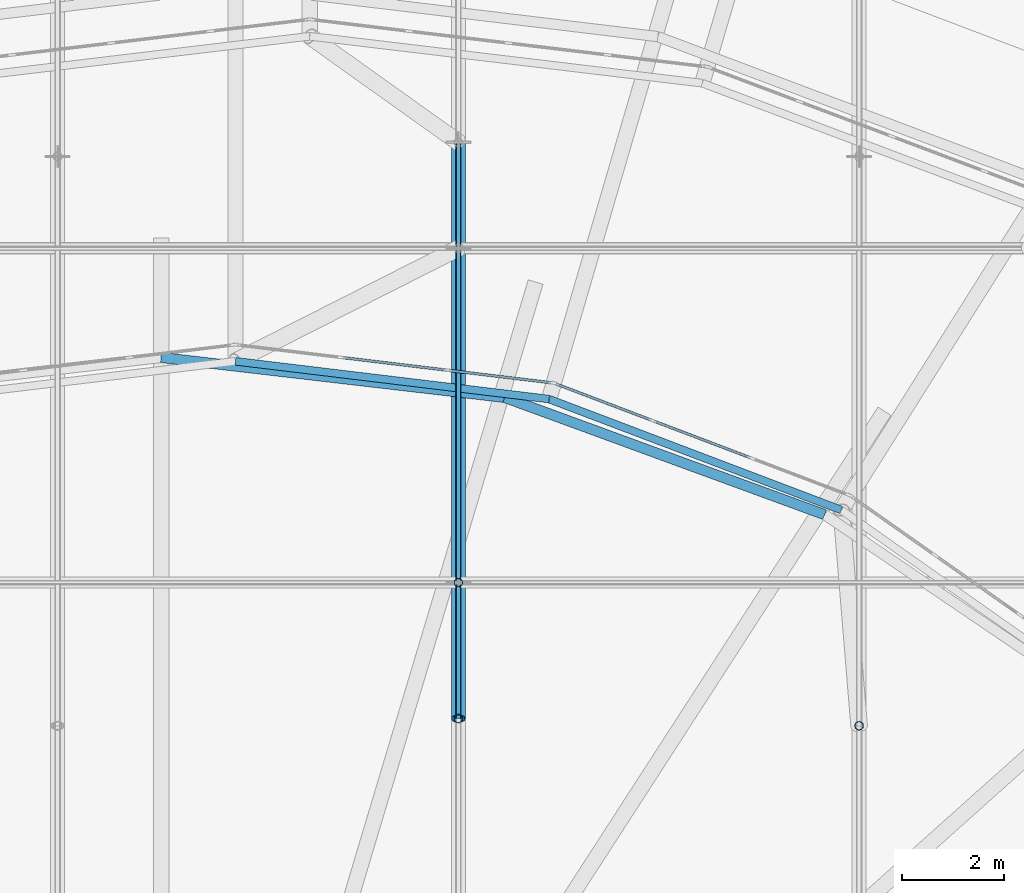
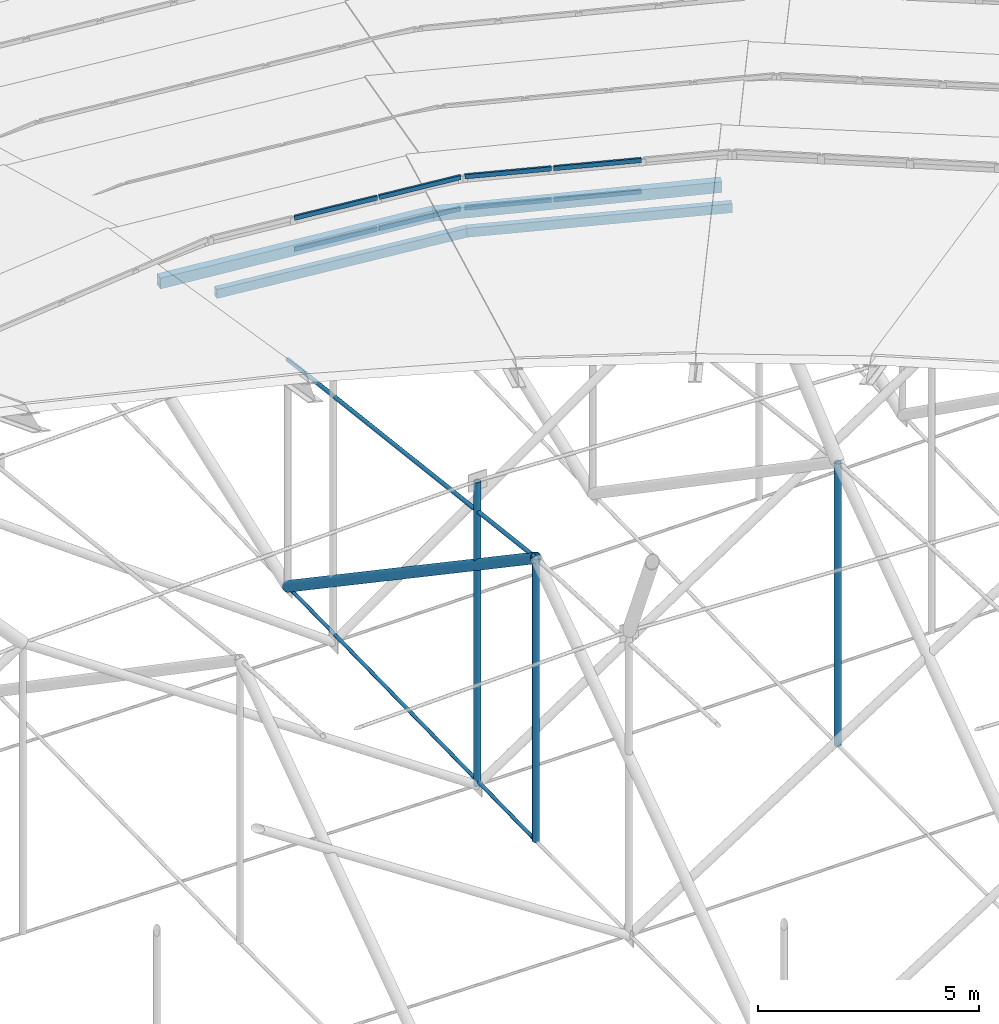
# One storey, part 72 of 173: 18 members, 2 elements without a shape of their own.
"""IFC4 building model written with IfcOpenShell, lengths in metres."""

from ifc_helpers import new_model, si_unit, direction, frame, origin, origin_2d, place, context, subcontext, project, spatial, rectangle, hollow_rectangle, circle, hollow_circle, extrude, material, material_profile, profile_set, type_object, element, aggregate, save


model = new_model("IFC4")

# Units and contexts
model_context = context("Model", 3, precision=1e-05, world=origin(), true_north=direction((0.0, 1.0)))
body_context = subcontext(model_context, "Body", "Model", "MODEL_VIEW")
ifc_project = project(units=[si_unit("LENGTHUNIT", "METRE"), si_unit("AREAUNIT", "SQUARE_METRE"), si_unit("VOLUMEUNIT", "CUBIC_METRE"), si_unit("PLANEANGLEUNIT", "RADIAN"), si_unit("MASSUNIT", "GRAM", prefix="KILO")], contexts=[model_context])

# Site, building, storey
site_placement = place(None, origin())
site = spatial("IfcSite", under=ifc_project, at=site_placement, CompositionType="ELEMENT")
building_placement = place(site_placement, origin())
building = spatial("IfcBuilding", under=site, at=building_placement, Name="Glasvene Arena", CompositionType="ELEMENT")
storey_placement = place(building_placement, frame((0.0, 0.0, 28.800048828125)))
storey = spatial("IfcBuildingStorey", under=building, at=storey_placement, Name="RF", CompositionType="ELEMENT", Elevation=28.800048828125)

# Curtain wall, members
ifc_material_1 = material(Name="Low-emissivity laminated double glazing", Category="glass")
curtain_wall_type_1 = type_object("IfcCurtainWallType", Name="CW-PET4-619x92", PredefinedType="USERDEFINED", material=ifc_material_1)
curtain_wall_1_placement = place(storey_placement, frame((99.64990234375, 88.6025390625, 0.0)))
curtain_wall_1 = element("IfcCurtainWall", 1, at=curtain_wall_1_placement, inside=storey, type_object=curtain_wall_type_1, Name="Petal ring 4-5 clerestory curtain wall 05", ObjectType="CURTAIN WALL", PredefinedType="USERDEFINED")
ifc_material_2 = material(Name="Anodised architectural aluminium", Category="aluminium")
ifc_material_profile_1 = material_profile(ifc_material_2, rectangle(XDim=0.050048828125, YDim=0.1201171875, at=origin_2d()), Name="ALU TRANSOM 50x120")
ifc_profile_set_1 = profile_set([ifc_material_profile_1], Name="Anodised architectural aluminium")
member_type_1 = type_object("IfcMemberType", Name="CW-TRN-120", PredefinedType="USERDEFINED", material=ifc_profile_set_1)
member_1_placement = place(storey_placement, frame((97.697265625, 89.343994140625, 10.554931640625), z_axis=(-0.934886588793, 0.354946567944, 0.0), x_axis=(-0.354946567944, -0.934886588793, 0.0)))
member_1 = element("IfcMember", 2, at=member_1_placement, type_object=member_type_1, Name="CW-103 transom 2.1", ObjectType="TRANSOM", PredefinedType="USERDEFINED", context=body_context, shape_type="SweptSolid", body=[
    extrude(rectangle(XDim=0.050048828125, YDim=0.1201171875, at=origin_2d()), origin(), (0.0, 0.0, 1.0), 2.013916015625),
])
member_2_placement = place(storey_placement, frame((97.697265625, 89.343994140625, 11.4208984375), z_axis=(-0.934886588793, 0.354946567944, 0.0), x_axis=(-0.354946567944, -0.934886588793, 0.0)))
member_2 = element("IfcMember", 3, at=member_2_placement, type_object=member_type_1, Name="CW-103 transom 2.2", ObjectType="TRANSOM", PredefinedType="USERDEFINED", context=body_context, shape_type="SweptSolid", body=[
    extrude(rectangle(XDim=0.050048828125, YDim=0.1201171875, at=origin_2d()), origin(), (0.0, 0.0, 1.0), 2.013916015625),
])
member_3_placement = place(storey_placement, frame((95.767822265625, 90.07666015625, 10.554931640625), z_axis=(-0.934868333805, 0.354994645662, 0.0), x_axis=(-0.354994645662, -0.934868333805, 0.0)))
member_3 = element("IfcMember", 4, at=member_3_placement, type_object=member_type_1, Name="CW-103 transom 3.1", ObjectType="TRANSOM", PredefinedType="USERDEFINED", context=body_context, shape_type="SweptSolid", body=[
    extrude(rectangle(XDim=0.050048828125, YDim=0.1201171875, at=origin_2d()), origin(), (0.0, 0.0, 1.0), 1.989013671875),
])
member_4_placement = place(storey_placement, frame((95.767822265625, 90.07666015625, 11.4208984375), z_axis=(-0.934868333805, 0.354994645662, 0.0), x_axis=(-0.354994645662, -0.934868333805, 0.0)))
member_4 = element("IfcMember", 5, at=member_4_placement, type_object=member_type_1, Name="CW-103 transom 3.2", ObjectType="TRANSOM", PredefinedType="USERDEFINED", context=body_context, shape_type="SweptSolid", body=[
    extrude(rectangle(XDim=0.050048828125, YDim=0.1201171875, at=origin_2d()), origin(), (0.0, 0.0, 1.0), 1.989013671875),
])
aggregate(curtain_wall_1, [member_1, member_2, member_3, member_4])

curtain_wall_type_2 = type_object("IfcCurtainWallType", Name="CW-PET4-626x92", PredefinedType="USERDEFINED", material=ifc_material_1)
curtain_wall_2_placement = place(storey_placement, frame((93.86181640625, 90.80029296875, 0.0)))
curtain_wall_2 = element("IfcCurtainWall", 6, at=curtain_wall_2_placement, inside=storey, type_object=curtain_wall_type_2, Name="Petal ring 4-5 clerestory curtain wall 06", ObjectType="CURTAIN WALL", PredefinedType="USERDEFINED")
member_5_placement = place(storey_placement, frame((93.81201171875, 90.806396484375, 10.554931640625), z_axis=(-0.992792125949, 0.119849049451, 0.0), x_axis=(-0.119849049451, -0.992792125949, 0.0)))
member_5 = element("IfcMember", 7, at=member_5_placement, type_object=member_type_1, Name="CW-104 transom 1.1", ObjectType="TRANSOM", PredefinedType="USERDEFINED", context=body_context, shape_type="SweptSolid", body=[
    extrude(rectangle(XDim=0.050048828125, YDim=0.1201171875, at=origin_2d()), origin(), (0.0, 0.0, 1.0), 2.010498046875),
])
member_6_placement = place(storey_placement, frame((93.81201171875, 90.806396484375, 11.4208984375), z_axis=(-0.992792125949, 0.119849049451, 0.0), x_axis=(-0.119849049451, -0.992792125949, 0.0)))
member_6 = element("IfcMember", 8, at=member_6_placement, type_object=member_type_1, Name="CW-104 transom 1.2", ObjectType="TRANSOM", PredefinedType="USERDEFINED", context=body_context, shape_type="SweptSolid", body=[
    extrude(rectangle(XDim=0.050048828125, YDim=0.1201171875, at=origin_2d()), origin(), (0.0, 0.0, 1.0), 2.010498046875),
])
member_7_placement = place(storey_placement, frame((91.766357421875, 91.05322265625, 10.554931640625), z_axis=(-0.992796596889, 0.119812007767, 0.0), x_axis=(-0.119812007767, -0.992796596889, 0.0)))
member_7 = element("IfcMember", 9, at=member_7_placement, type_object=member_type_1, Name="CW-104 transom 2.1", ObjectType="TRANSOM", PredefinedType="USERDEFINED", context=body_context, shape_type="SweptSolid", body=[
    extrude(rectangle(XDim=0.050048828125, YDim=0.1201171875, at=origin_2d()), origin(), (0.0, 0.0, 1.0), 2.03564453125),
])
member_8_placement = place(storey_placement, frame((91.766357421875, 91.05322265625, 11.4208984375), z_axis=(-0.992796596889, 0.119812007767, 0.0), x_axis=(-0.119812007767, -0.992796596889, 0.0)))
member_8 = element("IfcMember", 10, at=member_8_placement, type_object=member_type_1, Name="CW-104 transom 2.2", ObjectType="TRANSOM", PredefinedType="USERDEFINED", context=body_context, shape_type="SweptSolid", body=[
    extrude(rectangle(XDim=0.050048828125, YDim=0.1201171875, at=origin_2d()), origin(), (0.0, 0.0, 1.0), 2.03564453125),
])
aggregate(curtain_wall_2, [member_5, member_6, member_7, member_8])

# Members
ifc_material_3 = material(Name="High-strength steel spiral strand S460", Category="steel")
ifc_material_profile_2 = material_profile(ifc_material_3, circle(Radius=0.052490234375, at=origin_2d()), Name="LCSS D105")
ifc_profile_set_2 = profile_set([ifc_material_profile_2], Name="High-strength steel spiral strand S460")
member_type_2 = type_object("IfcMemberType", Name="MB-CABLE-105", PredefinedType="USERDEFINED", material=ifc_profile_set_2)
member_9_placement = place(storey_placement, frame((92.0, 84.25, 5.499267578125), z_axis=(0.0, 0.993060725803, -0.117602699234), x_axis=(-1.0, 0.0, 0.0)))
element("IfcMember", 11, at=member_9_placement, inside=storey, type_object=member_type_2, Name="Upper lens roof cable NS05-06", ObjectType="ROOF CABLE", PredefinedType="USERDEFINED", context=body_context, shape_type="SweptSolid", body=[
    extrude(circle(Radius=0.052490234375, at=origin_2d()), origin(), (0.0, 0.0, 1.0), 11.32861328125),
])
ifc_material_profile_3 = material_profile(ifc_material_3, circle(Radius=0.044921875, at=origin_2d()), Name="LCSS D90")
ifc_profile_set_3 = profile_set([ifc_material_profile_3], Name="High-strength steel spiral strand S460")
member_type_3 = type_object("IfcMemberType", Name="MB-CABLE-90", PredefinedType="USERDEFINED", material=ifc_profile_set_3)
member_10_placement = place(storey_placement, frame((92.0, 84.25, -2.328125), z_axis=(0.0, 0.99981645317, 0.019158809205), x_axis=(-1.0, 0.0, 0.0)))
element("IfcMember", 12, at=member_10_placement, inside=storey, type_object=member_type_3, Name="Lower stabilization roof cable NS05-06", ObjectType="ROOF CABLE", PredefinedType="USERDEFINED", context=body_context, shape_type="SweptSolid", body=[
    extrude(circle(Radius=0.044921875, at=origin_2d()), origin(), (0.0, 0.0, 1.0), 11.251953125),
])
ifc_material_4 = material(Name="Steel S355J2", Category="steel")
ifc_material_profile_4 = material_profile(ifc_material_4, hollow_rectangle(XDim=0.14990234375, YDim=0.25, WallThickness=0.010009765625, at=origin_2d()), Name="RHS 250x150x10.0")
ifc_profile_set_4 = profile_set([ifc_material_profile_4], Name="Steel S355J2")
member_type_4 = type_object("IfcMemberType", Name="MB-PURLIN-RHS250", PredefinedType="PURLIN", material=ifc_profile_set_4)
member_11_placement = place(storey_placement, frame((99.47509765625, 88.322265625, 10.1318359375), z_axis=(-0.934894081641, 0.354926832056, 0.0), x_axis=(-0.354926832056, -0.934894081641, 0.0)))
element("IfcMember", 13, at=member_11_placement, inside=storey, type_object=member_type_4, Name="Petal ring 4 ridge purlin 05", PredefinedType="PURLIN", context=body_context, shape_type="SweptSolid", body=[
    extrude(hollow_rectangle(XDim=0.14990234375, YDim=0.25, WallThickness=0.010009765625, at=origin_2d()), origin(), (0.0, 0.0, 1.0), 6.101318359375),
])
member_12_placement = place(storey_placement, frame((93.77099609375, 90.48779296875, 10.1318359375), z_axis=(-0.992799997938, 0.119783822342, 0.0), x_axis=(-0.119783822342, -0.992799997938, 0.0)))
element("IfcMember", 14, at=member_12_placement, inside=storey, type_object=member_type_4, Name="Petal ring 4 ridge purlin 06", PredefinedType="PURLIN", context=body_context, shape_type="SweptSolid", body=[
    extrude(hollow_rectangle(XDim=0.14990234375, YDim=0.25, WallThickness=0.010009765625, at=origin_2d()), origin(), (0.0, 0.0, 1.0), 6.16552734375),
])
ifc_material_profile_5 = material_profile(ifc_material_4, hollow_rectangle(XDim=0.199951171875, YDim=0.300048828125, WallThickness=0.012451171875, at=origin_2d()), Name="RHS 300x200x12.5")
ifc_profile_set_5 = profile_set([ifc_material_profile_5], Name="Steel S355J2")
member_type_5 = type_object("IfcMemberType", Name="MB-PURLIN-RHS300", PredefinedType="PURLIN", material=ifc_profile_set_5)
member_13_placement = place(storey_placement, frame((99.14990234375, 88.23193359375, 10.9013671875), z_axis=(-0.939001198731, 0.34391386826, 0.0), x_axis=(-0.34391386826, -0.939001198731, 0.0)))
element("IfcMember", 15, at=member_13_placement, inside=storey, type_object=member_type_5, Name="Petal ring 5 outer purlin 05", PredefinedType="PURLIN", context=body_context, shape_type="SweptSolid", body=[
    extrude(hollow_rectangle(XDim=0.199951171875, YDim=0.300048828125, WallThickness=0.012451171875, at=origin_2d()), origin(), (0.0, 0.0, 1.0), 6.65234375),
])
member_14_placement = place(storey_placement, frame((92.9033203125, 90.519775390625, 10.9013671875), z_axis=(-0.993293570606, 0.115619559735, 0.0), x_axis=(-0.115619559735, -0.993293570606, 0.0)))
element("IfcMember", 16, at=member_14_placement, inside=storey, type_object=member_type_5, Name="Petal ring 5 outer purlin 06", PredefinedType="PURLIN", context=body_context, shape_type="SweptSolid", body=[
    extrude(hollow_rectangle(XDim=0.199951171875, YDim=0.300048828125, WallThickness=0.012451171875, at=origin_2d()), origin(), (0.0, 0.0, 1.0), 6.74853515625),
])
ifc_material_profile_6 = material_profile(ifc_material_4, hollow_circle(Radius=0.084228515625, WallThickness=0.008056640625, at=origin_2d()), Name="CHS 168.3x8.0")
ifc_profile_set_6 = profile_set([ifc_material_profile_6], Name="Steel S355J2")
member_type_6 = type_object("IfcMemberType", Name="MB-WEB-CHS168", PredefinedType="BRACE", material=ifc_profile_set_6)
for number, where, z_axis, x_axis, name in (
    (17, (99.82177734375, 84.111572265625, -2.328125), (0.0, 0.0, 1.0), (1.0, 0.0, 0.0), "Cable-truss vertical strut NS04-05"),
    (18, (92.0, 84.25, -2.328125), (0.0, 0.0, 1.0), (1.0, 0.0, 0.0), "Cable-truss vertical strut NS05-05"),
):
    element("IfcMember", number, at=place(storey_placement, frame(where, z_axis=z_axis, x_axis=x_axis)), inside=storey, type_object=member_type_6, Name=name, PredefinedType="BRACE", context=body_context, shape_type="SweptSolid", body=[
        extrude(hollow_circle(Radius=0.084228515625, WallThickness=0.008056640625, at=origin_2d()), origin(), (0.0, 0.0, 1.0), 7.827392578125),
    ])
member_15_placement = place(storey_placement, frame((92.0, 86.90576171875, -2.400146484375), z_axis=(0.0, 0.0, 1.0), x_axis=(1.0, 0.0, 0.0)))
element("IfcMember", 19, at=member_15_placement, inside=storey, type_object=member_type_6, Name="Cable-truss vertical strut EW06-04", PredefinedType="BRACE", context=body_context, shape_type="SweptSolid", body=[
    extrude(hollow_circle(Radius=0.084228515625, WallThickness=0.008056640625, at=origin_2d()), origin(), (0.0, 0.0, 1.0), 8.420166015625),
])
ifc_material_profile_7 = material_profile(ifc_material_4, hollow_circle(Radius=0.136474609375, WallThickness=0.012451171875, at=origin_2d()), Name="CHS 273.0x12.5")
ifc_profile_set_7 = profile_set([ifc_material_profile_7], Name="Steel S355J2")
member_type_7 = type_object("IfcMemberType", Name="MB-WEB-CHS273", PredefinedType="BRACE", material=ifc_profile_set_7)
member_16_placement = place(storey_placement, frame((92.0, 84.25, 5.499267578125), z_axis=(0.0, 0.828231397624, -0.560386252498), x_axis=(-1.0, 0.0, 0.0)))
element("IfcMember", 20, at=member_16_placement, inside=storey, type_object=member_type_7, Name="Cable-truss diagonal web strut NS05-06", PredefinedType="BRACE", context=body_context, shape_type="SweptSolid", body=[
    extrude(hollow_circle(Radius=0.136474609375, WallThickness=0.012451171875, at=origin_2d()), origin(), (0.0, 0.0, 1.0), 13.583251953125),
])

save(model, "model.ifc")
